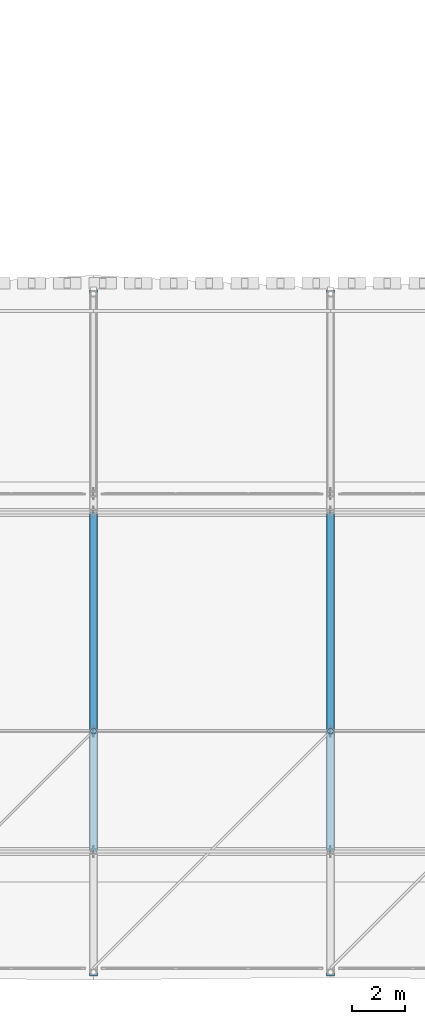
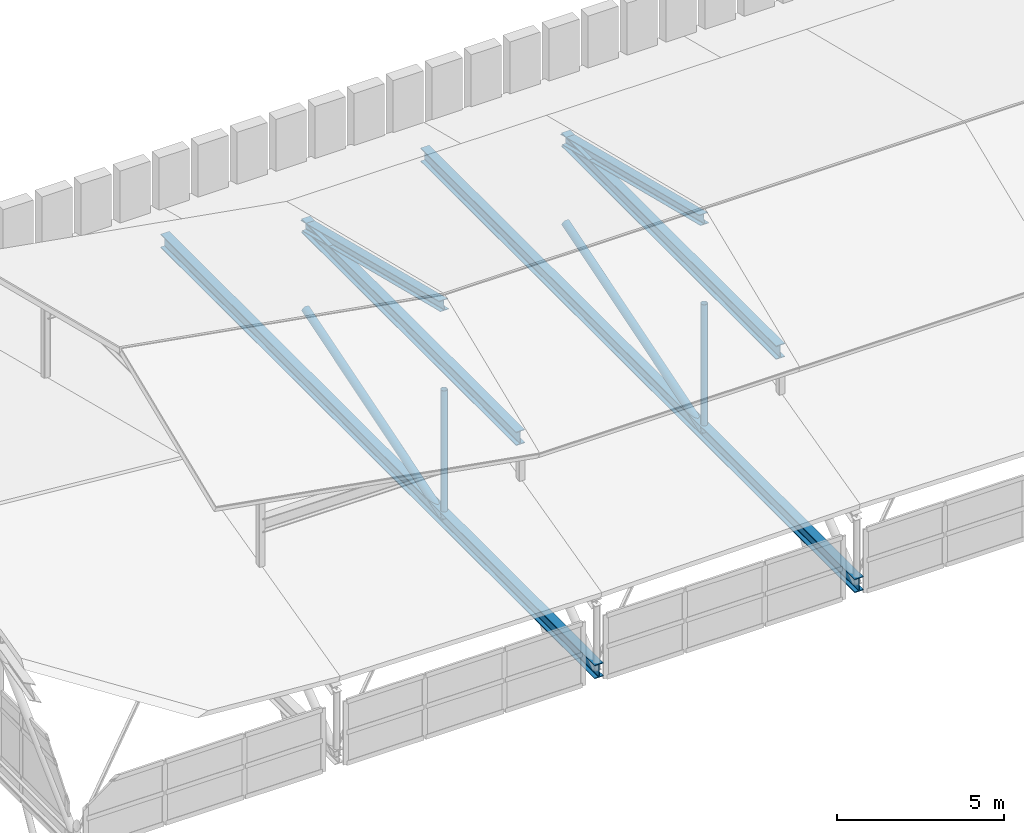
# One storey, part 5 of 42: 6 members, 4 beams.
"""IFC4 building model written with IfcOpenShell, lengths in metres."""

from ifc_helpers import new_model, si_unit, direction, frame, origin, origin_2d, place, context, subcontext, project, spatial, hollow_circle, i_section, extrude, material, material_profile, profile_set, type_object, element, save


model = new_model("IFC4")

# Units and contexts
model_context = context("Model", 3, precision=1e-05, world=origin(), true_north=direction((0.0, 1.0)))
body_context = subcontext(model_context, "Body", "Model", "MODEL_VIEW")
ifc_project = project(units=[si_unit("LENGTHUNIT", "METRE"), si_unit("AREAUNIT", "SQUARE_METRE"), si_unit("VOLUMEUNIT", "CUBIC_METRE"), si_unit("PLANEANGLEUNIT", "RADIAN"), si_unit("MASSUNIT", "GRAM", prefix="KILO")], contexts=[model_context])

# Site, building, storey
site_placement = place(None, origin())
site = spatial("IfcSite", under=ifc_project, at=site_placement, CompositionType="ELEMENT")
building_placement = place(site_placement, origin())
building = spatial("IfcBuilding", under=site, at=building_placement, Name="Bozkorgan Art Gallery", CompositionType="ELEMENT")
storey_placement = place(building_placement, frame((0.0, 0.0, 28.800048828125)))
storey = spatial("IfcBuildingStorey", under=building, at=storey_placement, Name="RF", CompositionType="ELEMENT", Elevation=28.800048828125)

# Beams
ifc_material = material(Name="Steel S355J2", Category="steel")
ifc_material_profile_1 = material_profile(ifc_material, i_section(OverallWidth=0.300048828125, OverallDepth=0.5, WebThickness=0.014404296875, FlangeThickness=0.028076171875, FilletRadius=0.027099609375, at=origin_2d()), Name="HEB 500")
ifc_profile_set_1 = profile_set([ifc_material_profile_1], Name="Steel S355J2")
beam_type_1 = type_object("IfcBeamType", Name="BEAM-TB-54", PredefinedType="BEAM", material=ifc_profile_set_1)
for number, where, z_axis, x_axis, name in (
    (1, (20.0, 6.425048828125, 5.925048828125), (0.0, 1.0, 0.0), (-1.0, 0.0, 0.0), "V1 stacked upper roof truss 2"),
    (2, (29.0, 6.425048828125, 5.925048828125), (0.0, 1.0, 0.0), (-1.0, 0.0, 0.0), "V1 stacked upper roof truss 3"),
):
    element("IfcBeam", number, at=place(storey_placement, frame(where, z_axis=z_axis, x_axis=x_axis)), inside=storey, type_object=beam_type_1, Name=name, PredefinedType="BEAM", context=body_context, shape_type="SweptSolid", body=[
        extrude(i_section(OverallWidth=0.300048828125, OverallDepth=0.5, WebThickness=0.014404296875, FlangeThickness=0.028076171875, FilletRadius=0.027099609375, at=origin_2d()), origin(), (0.0, 0.0, 1.0), 12.875),
    ])
ifc_material_profile_2 = material_profile(ifc_material, i_section(OverallWidth=0.300048828125, OverallDepth=0.5, WebThickness=0.014404296875, FlangeThickness=0.028076171875, FilletRadius=0.027099609375, at=origin_2d()), Name="HEB 500")
ifc_profile_set_2 = profile_set([ifc_material_profile_2], Name="Steel S355J2")
beam_type_2 = type_object("IfcBeamType", Name="BEAM-TO-52", PredefinedType="BEAM", material=ifc_profile_set_2)
for number, where, z_axis, x_axis, name in (
    (3, (20.0, 1.7099609375, 0.25), (0.0, 1.0, 0.0), (-1.0, 0.0, 0.0), "ROOF-V1-MAIN roof truss 3 bottom chord"),
    (4, (29.0, 1.7099609375, 0.25), (0.0, 1.0, 0.0), (-1.0, 0.0, 0.0), "ROOF-V1-MAIN roof truss 4 bottom chord"),
):
    element("IfcBeam", number, at=place(storey_placement, frame(where, z_axis=z_axis, x_axis=x_axis)), inside=storey, type_object=beam_type_2, Name=name, PredefinedType="BEAM", context=body_context, shape_type="SweptSolid", body=[
        extrude(i_section(OverallWidth=0.300048828125, OverallDepth=0.5, WebThickness=0.014404296875, FlangeThickness=0.028076171875, FilletRadius=0.027099609375, at=origin_2d()), origin(), (0.0, 0.0, 1.0), 26.030029296875),
    ])

# Members
ifc_material_profile_3 = material_profile(ifc_material, i_section(OverallWidth=0.300048828125, OverallDepth=0.35009765625, WebThickness=0.010009765625, FlangeThickness=0.017578125, FilletRadius=0.027099609375, at=origin_2d()), Name="HEA 360")
ifc_profile_set_3 = profile_set([ifc_material_profile_3], Name="Steel S355J2")
member_type_1 = type_object("IfcMemberType", Name="MEMBER-TC-31", PredefinedType="CHORD", material=ifc_profile_set_3)
for number, where, z_axis, x_axis, name in (
    (5, (20.0, 11.0, 7.994384765625), (0.0, 0.970298433578, -0.241911036945), (-1.0, 0.0, 0.0), "V1 stacked upper north chord 2"),
    (6, (29.0, 11.0, 7.994384765625), (0.0, 0.970298433578, -0.241911036945), (-1.0, 0.0, 0.0), "V1 stacked upper north chord 3"),
):
    element("IfcMember", number, at=place(storey_placement, frame(where, z_axis=z_axis, x_axis=x_axis)), inside=storey, type_object=member_type_1, Name=name, PredefinedType="CHORD", context=body_context, shape_type="SweptSolid", body=[
        extrude(i_section(OverallWidth=0.300048828125, OverallDepth=0.35009765625, WebThickness=0.010009765625, FlangeThickness=0.017578125, FilletRadius=0.027099609375, at=origin_2d()), origin(), (0.0, 0.0, 1.0), 8.55419921875),
    ])
ifc_material_profile_4 = material_profile(ifc_material, hollow_circle(Radius=0.109619140625, WallThickness=0.010009765625, at=origin_2d()), Name="CHS 219.1x10")
ifc_profile_set_4 = profile_set([ifc_material_profile_4], Name="Steel S355J2")
member_type_2 = type_object("IfcMemberType", Name="MEMBER-TP-78", PredefinedType="POST", material=ifc_profile_set_4)
for number, where, z_axis, x_axis, name in (
    (7, (20.0, 11.0, 0.25), (0.0, 0.0, 1.0), (1.0, 0.0, 0.0), "ROOF-V1-MAIN roof truss 3 post 2"),
    (8, (29.0, 11.0, 0.25), (0.0, 0.0, 1.0), (1.0, 0.0, 0.0), "ROOF-V1-MAIN roof truss 4 post 2"),
):
    element("IfcMember", number, at=place(storey_placement, frame(where, z_axis=z_axis, x_axis=x_axis)), inside=storey, type_object=member_type_2, Name=name, PredefinedType="POST", context=body_context, shape_type="SweptSolid", body=[
        extrude(hollow_circle(Radius=0.109619140625, WallThickness=0.010009765625, at=origin_2d()), origin(), (0.0, 0.0, 1.0), 4.67724609375),
    ])
ifc_material_profile_5 = material_profile(ifc_material, hollow_circle(Radius=0.136474609375, WallThickness=0.012451171875, at=origin_2d()), Name="CHS 273x12.5")
ifc_profile_set_5 = profile_set([ifc_material_profile_5], Name="Steel S355J2")
member_type_3 = type_object("IfcMemberType", Name="MEMBER-TW-28", PredefinedType="BRACE", material=ifc_profile_set_5)
for number, where, z_axis, x_axis, name in (
    (9, (20.0, 11.0, 0.25), (0.0, 0.955030676721, 0.29650700923), (-1.0, 0.0, 0.0), "ROOF-V1-MAIN roof truss 3 diagonal 3"),
    (10, (29.0, 11.0, 0.25), (0.0, 0.955030676721, 0.29650700923), (-1.0, 0.0, 0.0), "ROOF-V1-MAIN roof truss 4 diagonal 3"),
):
    element("IfcMember", number, at=place(storey_placement, frame(where, z_axis=z_axis, x_axis=x_axis)), inside=storey, type_object=member_type_3, Name=name, PredefinedType="BRACE", context=body_context, shape_type="SweptSolid", body=[
        extrude(hollow_circle(Radius=0.136474609375, WallThickness=0.012451171875, at=origin_2d()), origin(), (0.0, 0.0, 1.0), 8.69091796875),
    ])

save(model, "model.ifc")
